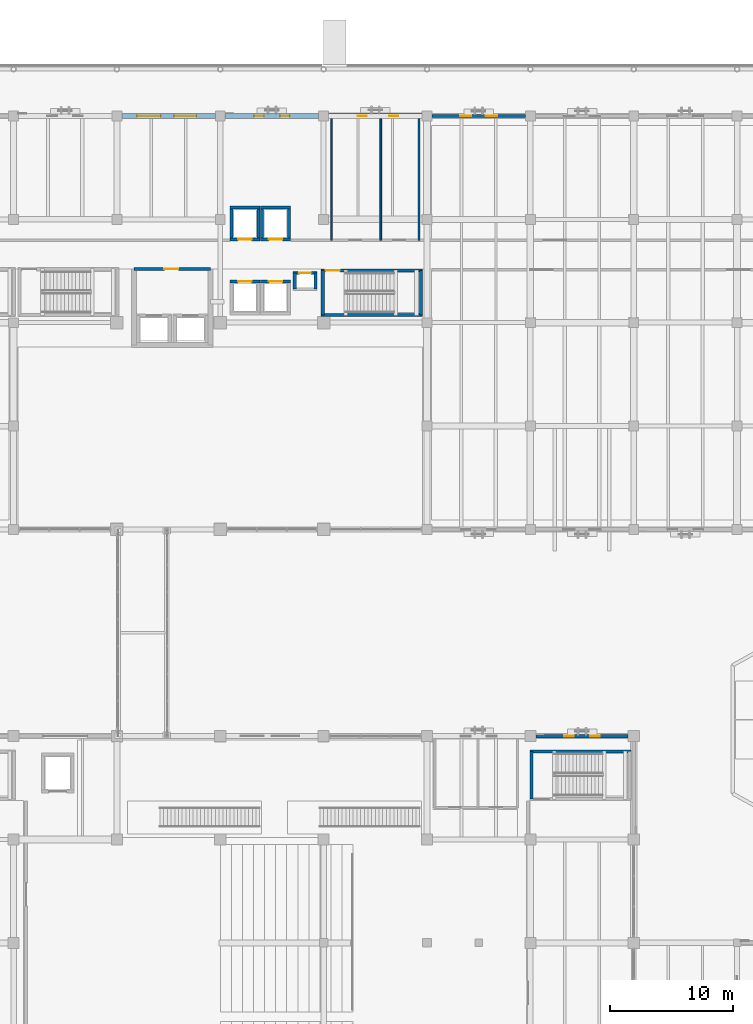
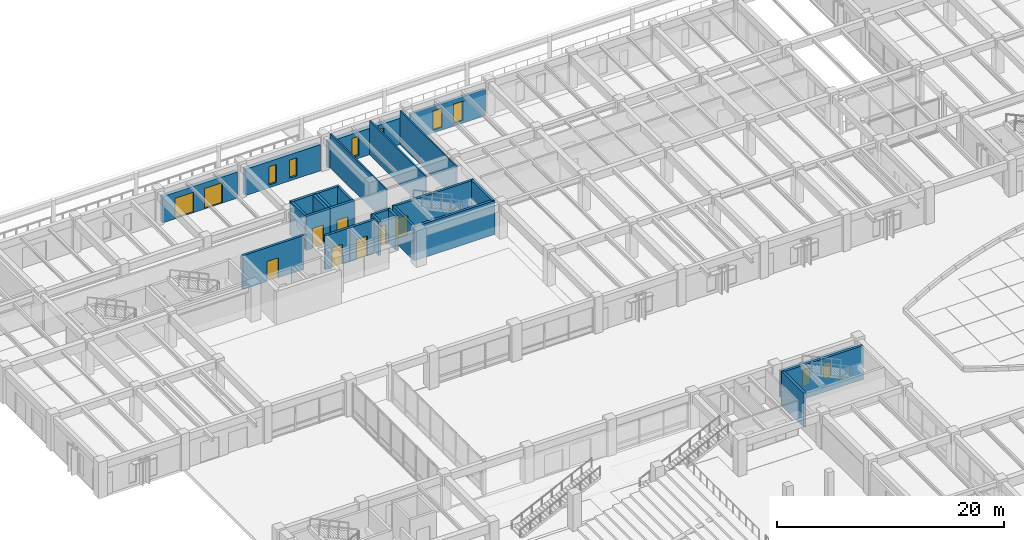
# One storey, part 91 of 135: 28 walls, 9 doors, 8 windows, 17 openings.
"""IFC4 building model written with IfcOpenShell, lengths in metres."""

import ifcopenshell
import ifcopenshell.guid

model = None  # the IFC model being written
_history = None  # IfcOwnerHistory: only IFC2X3 demands one
_inside = {}  # id of a spatial element -> (the spatial element, [elements in it])
_under = {}  # id of a project, library or spatial element -> (it, [spatial elements below it])
_declared = {}  # id of a project -> (the project, [libraries it declares])
_typed = {}  # id of a type object -> (the type object, [elements of that type])
_made_of = {}  # id of a material, layer set ... -> (it, [elements and type objects made of it])


def new_model(schema):
    """Start an empty IFC model of exactly this schema.

    Asked for "IFC4X3", IfcOpenShell would pick the latest addendum, in which some entities
    have other attributes; the version numbers below select the first issue.
    IFC2X3 requires an IfcOwnerHistory on every rooted entity: one is made here for all.
    """
    global model, _history
    if schema == "IFC4X3":
        model = ifcopenshell.file(schema_version=(4, 3, 0, 0))
    else:
        model = ifcopenshell.file(schema=schema)
    _inside.clear()
    _under.clear()
    _declared.clear()
    _typed.clear()
    _made_of.clear()
    _history = None
    if model.schema == "IFC2X3":
        org = make("IfcOrganization", Name="unknown")
        user = make(
            "IfcPersonAndOrganization",
            ThePerson=make("IfcPerson", FamilyName="unknown"),
            TheOrganization=org,
        )
        app = make(
            "IfcApplication",
            ApplicationDeveloper=org,
            Version="unknown",
            ApplicationFullName="unknown",
            ApplicationIdentifier="unknown",
        )
        _history = make(
            "IfcOwnerHistory",
            OwningUser=user,
            OwningApplication=app,
            ChangeAction="ADDED",
            CreationDate=0,
        )
    return model


def make(cls, **values):
    """One entity of the class cls with the attributes given. An attribute that is None is left unset."""
    return model.create_entity(
        cls, **{name: value for name, value in values.items() if value is not None}
    )


def rooted(cls, **values):
    """An entity with a GlobalId (a new one), such as an element, a storey or a relation."""
    return make(cls, GlobalId=ifcopenshell.guid.new(), OwnerHistory=_history, **values)


def si_unit(unit_type, name, prefix=None):
    """IfcSIUnit, for example si_unit("LENGTHUNIT", "METRE", prefix="MILLI")."""
    return make("IfcSIUnit", UnitType=unit_type, Prefix=prefix, Name=name)


def assignment(units):
    """IfcUnitAssignment: the units of a project."""
    return None if units is None else make("IfcUnitAssignment", Units=units)


def point(xyz):
    """IfcCartesianPoint."""
    return None if xyz is None else make("IfcCartesianPoint", Coordinates=xyz)


def direction(xyz):
    """IfcDirection."""
    return None if xyz is None else make("IfcDirection", DirectionRatios=xyz)


def frame(location, z_axis=None, x_axis=None):
    """IfcAxis2Placement3D, a coordinate frame: its origin and axes. An axis left out is left unset."""
    return make(
        "IfcAxis2Placement3D",
        Location=point(location),
        Axis=direction(z_axis),
        RefDirection=direction(x_axis),
    )


def frame_2d(location, x_axis=None):
    """IfcAxis2Placement2D, a coordinate frame in the plane: its origin and x axis."""
    return make(
        "IfcAxis2Placement2D", Location=point(location), RefDirection=direction(x_axis)
    )


def origin():
    """The frame at (0, 0, 0) with its axes left unset."""
    return frame((0.0, 0.0, 0.0))


def place(relative_to, where):
    """IfcLocalPlacement: puts the frame where relative to a parent placement (None: the world)."""
    return make(
        "IfcLocalPlacement", PlacementRelTo=relative_to, RelativePlacement=where
    )


def context(
    kind, dimensions, precision=None, world=None, true_north=None, identifier=None
):
    """IfcGeometricRepresentationContext, for example the 3D "Model" context."""
    return make(
        "IfcGeometricRepresentationContext",
        ContextIdentifier=identifier,
        ContextType=kind,
        CoordinateSpaceDimension=dimensions,
        Precision=precision,
        WorldCoordinateSystem=world,
        TrueNorth=true_north,
    )


def subcontext(parent, identifier, kind, view, scale=None):
    """IfcGeometricRepresentationSubContext, for example "Body" below "Model"."""
    return make(
        "IfcGeometricRepresentationSubContext",
        ContextIdentifier=identifier,
        ContextType=kind,
        ParentContext=parent,
        TargetScale=scale,
        TargetView=view,
    )


def project(units=None, contexts=None):
    """IfcProject with its units and contexts."""
    return rooted(
        "IfcProject",
        Name="project",
        RepresentationContexts=contexts,
        UnitsInContext=assignment(units),
    )


def spatial(cls, under=None, at=None, **own):
    """A site, building, storey or space (cls), placed at a placement, below another one or the project."""
    s = rooted(cls, ObjectPlacement=at, **own)
    if under is not None:
        _under.setdefault(under.id(), (under, []))[1].append(s)
    return s


def profile(cls, at=None, kind="AREA", **sizes):
    """A parametric profile (cls). Its sizes go by their IFC names, for example OverallWidth=200.0."""
    return make(cls, ProfileType=kind, Position=at, **sizes)


def rectangle(**sizes):
    """IfcRectangleProfileDef."""
    return profile("IfcRectangleProfileDef", **sizes)


def extrude(swept, where, along, depth):
    """IfcExtrudedAreaSolid: the profile swept, set in the frame where, extruded along a direction by depth."""
    return make(
        "IfcExtrudedAreaSolid",
        SweptArea=swept,
        Position=where,
        ExtrudedDirection=direction(along),
        Depth=depth,
    )


def shape(context_of_items, identifier, shape_type, items):
    """IfcShapeRepresentation: the items that make up one representation, for example the "Body"."""
    return make(
        "IfcShapeRepresentation",
        ContextOfItems=context_of_items,
        RepresentationIdentifier=identifier,
        RepresentationType=shape_type,
        Items=items,
    )


def material(Name=None, Category=None):
    """IfcMaterial."""
    return make("IfcMaterial", Name=Name, Category=Category)


def layer(
    of_material, thickness, ventilated=None, Name=None, Category=None, Priority=None
):
    """IfcMaterialLayer: one layer of a wall or slab, of a material (None: an air gap)."""
    return make(
        "IfcMaterialLayer",
        Material=of_material,
        LayerThickness=thickness,
        IsVentilated=ventilated,
        Name=Name,
        Category=Category,
        Priority=Priority,
    )


def layer_set(layers, Name=None):
    """IfcMaterialLayerSet."""
    return make("IfcMaterialLayerSet", MaterialLayers=layers, LayerSetName=Name)


def made_of(thing, what):
    """Note that an element or type object is made of a material, layer set ...; save() writes the relation."""
    if what is not None:
        _made_of.setdefault(what.id(), (what, []))[1].append(thing)
    return thing


def type_object(cls, material=None, **own):
    """A type object (cls), such as IfcWallType, which elements share."""
    return made_of(rooted(cls, **own), material)


def element(
    cls,
    number,
    at=None,
    inside=None,
    cuts=None,
    type_object=None,
    material=None,
    context=None,
    identifier="Body",
    shape_type=None,
    held_by="IfcProductDefinitionShape",
    body=None,
    shapes=None,
    **own,
):
    """One element of the class cls, such as IfcWall. Its Tag is "e" and its number.

    at: its placement. inside: the storey or other place that contains it. cuts: it is an
    opening in that element (IfcRelVoidsElement). A single representation is given by context,
    identifier, shape_type and body (its items); several are given by shapes. held_by: the class
    of the entity that holds the representations. save() writes the other relations.
    """
    e = rooted(cls, Tag="e%d" % number, ObjectPlacement=at, **own)
    if body is not None:
        shapes = [shape(context, identifier, shape_type, body)]
    if shapes is not None:
        e.Representation = make(held_by, Representations=shapes)
    if inside is not None:
        _inside.setdefault(inside.id(), (inside, []))[1].append(e)
    if cuts is not None:
        rooted(
            "IfcRelVoidsElement", RelatingBuildingElement=cuts, RelatedOpeningElement=e
        )
    if type_object is not None:
        _typed.setdefault(type_object.id(), (type_object, []))[1].append(e)
    return made_of(e, material)


def fill(opening, filler):
    """IfcRelFillsElement: the door or window that sits in an opening."""
    return rooted(
        "IfcRelFillsElement",
        RelatingOpeningElement=opening,
        RelatedBuildingElement=filler,
    )


def aggregate(whole, parts):
    """IfcRelAggregates: a whole, such as a stair, and the parts it consists of."""
    return rooted("IfcRelAggregates", RelatingObject=whole, RelatedObjects=parts)


def save(model, path):
    """Write the relations noted so far, then the file.

    IfcRelAggregates (storeys below a building ...), IfcRelContainedInSpatialStructure (elements
    in a storey), IfcRelDefinesByType, IfcRelAssociatesMaterial and IfcRelDeclares: one each for
    every whole, place, type object, material and project.
    """
    for whole, parts in _under.values():
        aggregate(whole, parts)
    for where, things in _inside.values():
        rooted(
            "IfcRelContainedInSpatialStructure",
            RelatedElements=things,
            RelatingStructure=where,
        )
    for kind, things in _typed.values():
        rooted("IfcRelDefinesByType", RelatedObjects=things, RelatingType=kind)
    for what, things in _made_of.values():
        rooted("IfcRelAssociatesMaterial", RelatedObjects=things, RelatingMaterial=what)
    for by, libraries in _declared.values():
        rooted("IfcRelDeclares", RelatingContext=by, RelatedDefinitions=libraries)
    model.write(path)


model = new_model("IFC4")

# Units and contexts
model_context = context("Model", 3, precision=1e-05, world=origin(), true_north=direction((0.0, 1.0)))
body_context = subcontext(model_context, "Body", "Model", "MODEL_VIEW")
ifc_project = project(units=[si_unit("LENGTHUNIT", "METRE"), si_unit("AREAUNIT", "SQUARE_METRE"), si_unit("VOLUMEUNIT", "CUBIC_METRE"), si_unit("PLANEANGLEUNIT", "RADIAN"), si_unit("MASSUNIT", "GRAM", prefix="KILO")], contexts=[model_context])

# Site, building, storey
site_placement = place(None, origin())
site = spatial("IfcSite", under=ifc_project, at=site_placement, CompositionType="ELEMENT")
building_placement = place(site_placement, origin())
building = spatial("IfcBuilding", under=site, at=building_placement, Name="Cumbredor Promenade Congress Hotel", CompositionType="ELEMENT")
storey_placement = place(building_placement, origin())
storey = spatial("IfcBuildingStorey", under=building, at=storey_placement, Name="L00", CompositionType="ELEMENT", Elevation=0.0)

# Wall, openings, windows
ifc_material_1 = material(Name="Concrete C40/50", Category="concrete")
ifc_layer_1 = layer(ifc_material_1, 0.260009765625, Name="Concrete C40/50", Category="concrete")
ifc_layer_set_1 = layer_set([ifc_layer_1], Name="Concrete C40/50")
wall_type_1 = type_object("IfcWallType", Name="WL-EXT-260", PredefinedType="SOLIDWALL", material=ifc_layer_set_1)
wall_1_placement = place(storey_placement, frame((59.2509765625, 67.199951171875, 0.0), z_axis=(0.0, 0.0, 1.0), x_axis=(1.0, 0.0, 0.0)))
wall_1 = element("IfcWall", 1, at=wall_1_placement, inside=storey, type_object=wall_type_1, Name="L00 Plenary Congress Hall North Envelope Wall 7", PredefinedType="SOLIDWALL", context=body_context, shape_type="SweptSolid", body=[
    extrude(rectangle(XDim=7.498046875, YDim=0.260009765625, at=frame_2d((3.7490234375, 0.0))), origin(), (0.0, 0.0, 1.0), 2.824951171875),
])
opening_1_placement = place(wall_1_placement, frame((2.319091796875, 0.0, 0.300048828125)))
opening_1 = element("IfcOpeningElement", 2, at=opening_1_placement, cuts=wall_1, Name="Opening WN-61", PredefinedType="OPENING", context=body_context, shape_type="SweptSolid", body=[
    extrude(rectangle(XDim=0.760009765625, YDim=1.75, at=frame_2d((0.3798828125, 0.875))), frame((0.0, 0.14013671875, 0.0), z_axis=(0.0, -1.0, 0.0), x_axis=(1.0, 0.0, 0.0)), (0.0, 0.0, 1.0), 0.280029296875),
])
opening_2_placement = place(wall_1_placement, frame((4.4189453125, 0.0, 0.300048828125)))
opening_2 = element("IfcOpeningElement", 3, at=opening_2_placement, cuts=wall_1, Name="Opening WN-61", PredefinedType="OPENING", context=body_context, shape_type="SweptSolid", body=[
    extrude(rectangle(XDim=0.760009765625, YDim=1.75, at=frame_2d((0.3798828125, 0.875))), frame((0.0, 0.14013671875, 0.0), z_axis=(0.0, -1.0, 0.0), x_axis=(1.0, 0.0, 0.0)), (0.0, 0.0, 1.0), 0.280029296875),
])
ifc_material_2 = material(Name="Thermally broken anodized aluminium and low-E glass", Category="aluminium")
window_type_1 = type_object("IfcWindowType", Name="Vertical Slot Window WN-61 760x1750", PartitioningType="SINGLE_PANEL", PredefinedType="WINDOW", material=ifc_material_2)
window_1_placement = place(opening_1_placement, origin())
window_1 = element("IfcWindow", 4, at=window_1_placement, inside=storey, type_object=window_type_1, Name="L00 Vertical Slot Window 0011", OverallHeight=1.75, OverallWidth=0.760009765625, PartitioningType="SINGLE_PANEL", PredefinedType="WINDOW", context=body_context, shape_type="SweptSolid", body=[
    extrude(rectangle(XDim=0.760009765625, YDim=1.75, at=frame_2d((0.3798828125, 0.875))), frame((0.0, 0.030029296875, 0.0), z_axis=(0.0, -1.0, 0.0), x_axis=(1.0, 0.0, 0.0)), (0.0, 0.0, 1.0), 0.06005859375),
])
fill(opening_1, window_1)
window_2_placement = place(opening_2_placement, origin())
window_2 = element("IfcWindow", 5, at=window_2_placement, inside=storey, type_object=window_type_1, Name="L00 Vertical Slot Window 0012", OverallHeight=1.75, OverallWidth=0.760009765625, PartitioningType="SINGLE_PANEL", PredefinedType="WINDOW", context=body_context, shape_type="SweptSolid", body=[
    extrude(rectangle(XDim=0.760009765625, YDim=1.75, at=frame_2d((0.3798828125, 0.875))), frame((0.0, 0.030029296875, 0.0), z_axis=(0.0, -1.0, 0.0), x_axis=(1.0, 0.0, 0.0)), (0.0, 0.0, 1.0), 0.06005859375),
])
fill(opening_2, window_2)

wall_2_placement = place(storey_placement, frame((50.801025390625, 117.60009765625, 0.0), z_axis=(0.0, 0.0, 1.0), x_axis=(1.0, 0.0, 0.0)))
wall_2 = element("IfcWall", 6, at=wall_2_placement, inside=storey, type_object=wall_type_1, Name="L00 Stepped Congress Hotel Wing North Envelope Wall 7", PredefinedType="SOLIDWALL", context=body_context, shape_type="SweptSolid", body=[
    extrude(rectangle(XDim=7.597900390625, YDim=0.260009765625, at=frame_2d((3.798828125, 0.0))), origin(), (0.0, 0.0, 1.0), 2.824951171875),
])
opening_3_placement = place(wall_2_placement, frame((2.2890625, 0.0, 0.300048828125)))
opening_3 = element("IfcOpeningElement", 7, at=opening_3_placement, cuts=wall_2, Name="Opening WN-56", PredefinedType="OPENING", context=body_context, shape_type="SweptSolid", body=[
    extrude(rectangle(XDim=0.919921875, YDim=2.050048828125, at=frame_2d((0.4599609375, 1.02490234375))), frame((0.0, 0.14013671875, 0.0), z_axis=(0.0, -1.0, 0.0), x_axis=(1.0, 0.0, 0.0)), (0.0, 0.0, 1.0), 0.280029296875),
])
opening_4_placement = place(wall_2_placement, frame((4.388916015625, 0.0, 0.300048828125)))
opening_4 = element("IfcOpeningElement", 8, at=opening_4_placement, cuts=wall_2, Name="Opening WN-56", PredefinedType="OPENING", context=body_context, shape_type="SweptSolid", body=[
    extrude(rectangle(XDim=0.919921875, YDim=2.050048828125, at=frame_2d((0.4599609375, 1.02490234375))), frame((0.0, 0.14013671875, 0.0), z_axis=(0.0, -1.0, 0.0), x_axis=(1.0, 0.0, 0.0)), (0.0, 0.0, 1.0), 0.280029296875),
])
window_type_2 = type_object("IfcWindowType", Name="Vertical Slot Window WN-56 920x2050", PartitioningType="SINGLE_PANEL", PredefinedType="WINDOW", material=ifc_material_2)
window_3_placement = place(opening_3_placement, origin())
window_3 = element("IfcWindow", 9, at=window_3_placement, inside=storey, type_object=window_type_2, Name="L00 Vertical Slot Window 0081", OverallHeight=2.050048828125, OverallWidth=0.919921875, PartitioningType="SINGLE_PANEL", PredefinedType="WINDOW", context=body_context, shape_type="SweptSolid", body=[
    extrude(rectangle(XDim=0.919921875, YDim=2.050048828125, at=frame_2d((0.4599609375, 1.02490234375))), frame((0.0, 0.030029296875, 0.0), z_axis=(0.0, -1.0, 0.0), x_axis=(1.0, 0.0, 0.0)), (0.0, 0.0, 1.0), 0.06005859375),
])
fill(opening_3, window_3)
window_4_placement = place(opening_4_placement, origin())
window_4 = element("IfcWindow", 10, at=window_4_placement, inside=storey, type_object=window_type_2, Name="L00 Vertical Slot Window 0082", OverallHeight=2.050048828125, OverallWidth=0.919921875, PartitioningType="SINGLE_PANEL", PredefinedType="WINDOW", context=body_context, shape_type="SweptSolid", body=[
    extrude(rectangle(XDim=0.919921875, YDim=2.050048828125, at=frame_2d((0.4599609375, 1.02490234375))), frame((0.0, 0.030029296875, 0.0), z_axis=(0.0, -1.0, 0.0), x_axis=(1.0, 0.0, 0.0)), (0.0, 0.0, 1.0), 0.06005859375),
])
fill(opening_4, window_4)

# Wall, openings, doors
ifc_layer_2 = layer(ifc_material_1, 0.3798828125, Name="Concrete C40/50", Category="concrete")
ifc_layer_set_2 = layer_set([ifc_layer_2], Name="Concrete C40/50")
wall_type_2 = type_object("IfcWallType", Name="WL-EXT-380", PredefinedType="SOLIDWALL", material=ifc_layer_set_2)
wall_3_placement = place(storey_placement, frame((25.60107421875, 117.60009765625, 0.0), z_axis=(0.0, 0.0, 1.0), x_axis=(1.0, 0.0, 0.0)))
wall_3 = element("IfcWall", 11, at=wall_3_placement, inside=storey, type_object=wall_type_2, Name="L00 Stepped Congress Hotel Wing North Envelope Wall 4", PredefinedType="SOLIDWALL", context=body_context, shape_type="SweptSolid", body=[
    extrude(rectangle(XDim=7.597900390625, YDim=0.3798828125, at=frame_2d((3.798828125, 0.0))), origin(), (0.0, 0.0, 1.0), 2.824951171875),
])
opening_5_placement = place(wall_3_placement, frame((1.2490234375, 0.0, 0.0)))
opening_5 = element("IfcOpeningElement", 12, at=opening_5_placement, cuts=wall_3, Name="Opening EX-02", PredefinedType="OPENING", context=body_context, shape_type="SweptSolid", body=[
    extrude(rectangle(XDim=1.89990234375, YDim=2.199951171875, at=frame_2d((0.949951171875, 1.10009765625))), frame((0.0, 0.199951171875, 0.0), z_axis=(0.0, -1.0, 0.0), x_axis=(1.0, 0.0, 0.0)), (0.0, 0.0, 1.0), 0.39990234375),
])
opening_6_placement = place(wall_3_placement, frame((4.248046875, 0.0, 0.0)))
opening_6 = element("IfcOpeningElement", 13, at=opening_6_placement, cuts=wall_3, Name="Opening EX-01", PredefinedType="OPENING", context=body_context, shape_type="SweptSolid", body=[
    extrude(rectangle(XDim=1.800048828125, YDim=2.199951171875, at=frame_2d((0.89990234375, 1.10009765625))), frame((0.0, 0.199951171875, 0.0), z_axis=(0.0, -1.0, 0.0), x_axis=(1.0, 0.0, 0.0)), (0.0, 0.0, 1.0), 0.39990234375),
])
ifc_material_3 = material(Name="Thermally broken anodized aluminium and laminated safety glass", Category="aluminium")
door_type_1 = type_object("IfcDoorType", Name="EXT-DR-EXIT-1800x2200", OperationType="DOUBLE_DOOR_SINGLE_SWING", PredefinedType="DOOR", material=ifc_material_3)
door_1_placement = place(opening_6_placement, origin())
door_1 = element("IfcDoor", 14, at=door_1_placement, inside=storey, type_object=door_type_1, Name="L00 Stepped Congress Hotel Wing North Final Exit Door 27.2", OperationType="DOUBLE_DOOR_SINGLE_SWING", OverallHeight=2.199951171875, OverallWidth=1.800048828125, PredefinedType="DOOR", context=body_context, shape_type="SweptSolid", body=[
    extrude(rectangle(XDim=1.800048828125, YDim=2.199951171875, at=frame_2d((0.89990234375, 1.10009765625))), frame((0.0, 0.02490234375, 0.0), z_axis=(0.0, -1.0, 0.0), x_axis=(1.0, 0.0, 0.0)), (0.0, 0.0, 1.0), 0.050048828125),
])
fill(opening_6, door_1)
door_type_2 = type_object("IfcDoorType", Name="EXT-DR-EXIT-1900x2200", OperationType="DOUBLE_DOOR_SINGLE_SWING", PredefinedType="DOOR", material=ifc_material_3)
door_2_placement = place(opening_5_placement, origin())
door_2 = element("IfcDoor", 15, at=door_2_placement, inside=storey, type_object=door_type_2, Name="L00 Stepped Congress Hotel Wing North Final Exit Door 27.1", OperationType="DOUBLE_DOOR_SINGLE_SWING", OverallHeight=2.199951171875, OverallWidth=1.89990234375, PredefinedType="DOOR", context=body_context, shape_type="SweptSolid", body=[
    extrude(rectangle(XDim=1.89990234375, YDim=2.199951171875, at=frame_2d((0.949951171875, 1.10009765625))), frame((0.0, 0.02490234375, 0.0), z_axis=(0.0, -1.0, 0.0), x_axis=(1.0, 0.0, 0.0)), (0.0, 0.0, 1.0), 0.050048828125),
])
fill(opening_5, door_2)

# Wall, openings, windows
ifc_layer_3 = layer(ifc_material_1, 0.425048828125, Name="Concrete C40/50", Category="concrete")
ifc_layer_set_3 = layer_set([ifc_layer_3], Name="Concrete C40/50")
wall_type_3 = type_object("IfcWallType", Name="WL-EXT-425", PredefinedType="SOLIDWALL", material=ifc_layer_set_3)
wall_4_placement = place(storey_placement, frame((34.0009765625, 117.60009765625, 0.0), z_axis=(0.0, 0.0, 1.0), x_axis=(1.0, 0.0, 0.0)))
wall_4 = element("IfcWall", 16, at=wall_4_placement, inside=storey, type_object=wall_type_3, Name="L00 Stepped Congress Hotel Wing North Envelope Wall 5", PredefinedType="SOLIDWALL", context=body_context, shape_type="SweptSolid", body=[
    extrude(rectangle(XDim=7.59814453125, YDim=0.425048828125, at=frame_2d((3.799072265625, 0.0))), origin(), (0.0, 0.0, 1.0), 2.824951171875),
])
opening_7_placement = place(wall_4_placement, frame((2.35888671875, 0.0, 0.300048828125)))
opening_7 = element("IfcOpeningElement", 17, at=opening_7_placement, cuts=wall_4, Name="Opening WN-50", PredefinedType="OPENING", context=body_context, shape_type="SweptSolid", body=[
    extrude(rectangle(XDim=0.780029296875, YDim=1.949951171875, at=frame_2d((0.39013671875, 0.97509765625))), frame((0.0, 0.22265625, 0.0), z_axis=(0.0, -1.0, 0.0), x_axis=(1.0, 0.0, 0.0)), (0.0, 0.0, 1.0), 0.445068359375),
])
opening_8_placement = place(wall_4_placement, frame((4.458984375, 0.0, 0.300048828125)))
opening_8 = element("IfcOpeningElement", 18, at=opening_8_placement, cuts=wall_4, Name="Opening WN-50", PredefinedType="OPENING", context=body_context, shape_type="SweptSolid", body=[
    extrude(rectangle(XDim=0.780029296875, YDim=1.949951171875, at=frame_2d((0.39013671875, 0.97509765625))), frame((0.0, 0.22265625, 0.0), z_axis=(0.0, -1.0, 0.0), x_axis=(1.0, 0.0, 0.0)), (0.0, 0.0, 1.0), 0.445068359375),
])
window_type_3 = type_object("IfcWindowType", Name="Vertical Slot Window WN-50 780x1950", PartitioningType="SINGLE_PANEL", PredefinedType="WINDOW", material=ifc_material_2)
window_5_placement = place(opening_7_placement, origin())
window_5 = element("IfcWindow", 19, at=window_5_placement, inside=storey, type_object=window_type_3, Name="L00 Vertical Slot Window 0077", OverallHeight=1.949951171875, OverallWidth=0.780029296875, PartitioningType="SINGLE_PANEL", PredefinedType="WINDOW", context=body_context, shape_type="SweptSolid", body=[
    extrude(rectangle(XDim=0.780029296875, YDim=1.949951171875, at=frame_2d((0.39013671875, 0.97509765625))), frame((0.0, 0.030029296875, 0.0), z_axis=(0.0, -1.0, 0.0), x_axis=(1.0, 0.0, 0.0)), (0.0, 0.0, 1.0), 0.06005859375),
])
fill(opening_7, window_5)
window_6_placement = place(opening_8_placement, origin())
window_6 = element("IfcWindow", 20, at=window_6_placement, inside=storey, type_object=window_type_3, Name="L00 Vertical Slot Window 0078", OverallHeight=1.949951171875, OverallWidth=0.780029296875, PartitioningType="SINGLE_PANEL", PredefinedType="WINDOW", context=body_context, shape_type="SweptSolid", body=[
    extrude(rectangle(XDim=0.780029296875, YDim=1.949951171875, at=frame_2d((0.39013671875, 0.97509765625))), frame((0.0, 0.030029296875, 0.0), z_axis=(0.0, -1.0, 0.0), x_axis=(1.0, 0.0, 0.0)), (0.0, 0.0, 1.0), 0.06005859375),
])
fill(opening_8, window_6)

ifc_layer_4 = layer(ifc_material_1, 0.449951171875, Name="Concrete C40/50", Category="concrete")
ifc_layer_set_4 = layer_set([ifc_layer_4], Name="Concrete C40/50")
wall_type_4 = type_object("IfcWallType", Name="WL-EXT-450", PredefinedType="SOLIDWALL", material=ifc_layer_set_4)
wall_5_placement = place(storey_placement, frame((42.40087890625, 117.60009765625, 0.0), z_axis=(0.0, 0.0, 1.0), x_axis=(1.0, 0.0, 0.0)))
wall_5 = element("IfcWall", 21, at=wall_5_placement, inside=storey, type_object=wall_type_4, Name="L00 Stepped Congress Hotel Wing North Envelope Wall 6", PredefinedType="SOLIDWALL", context=body_context, shape_type="SweptSolid", body=[
    extrude(rectangle(XDim=7.59814453125, YDim=0.449951171875, at=frame_2d((3.799072265625, 0.0))), origin(), (0.0, 0.0, 1.0), 2.824951171875),
])
opening_9_placement = place(wall_5_placement, frame((2.37890625, 0.0, 0.300048828125)))
opening_9 = element("IfcOpeningElement", 22, at=opening_9_placement, cuts=wall_5, Name="Opening WN-53", PredefinedType="OPENING", context=body_context, shape_type="SweptSolid", body=[
    extrude(rectangle(XDim=0.739990234375, YDim=2.050048828125, at=frame_2d((0.3701171875, 1.02490234375))), frame((0.0, 0.23486328125, 0.0), z_axis=(0.0, -1.0, 0.0), x_axis=(1.0, 0.0, 0.0)), (0.0, 0.0, 1.0), 0.469970703125),
])
opening_10_placement = place(wall_5_placement, frame((4.928955078125, 0.0, 0.300048828125)))
opening_10 = element("IfcOpeningElement", 23, at=opening_10_placement, cuts=wall_5, Name="Opening WN-53", PredefinedType="OPENING", context=body_context, shape_type="SweptSolid", body=[
    extrude(rectangle(XDim=0.739990234375, YDim=2.050048828125, at=frame_2d((0.3701171875, 1.02490234375))), frame((0.0, 0.23486328125, 0.0), z_axis=(0.0, -1.0, 0.0), x_axis=(1.0, 0.0, 0.0)), (0.0, 0.0, 1.0), 0.469970703125),
])
window_type_4 = type_object("IfcWindowType", Name="Vertical Slot Window WN-53 740x2050", PartitioningType="SINGLE_PANEL", PredefinedType="WINDOW", material=ifc_material_2)
window_7_placement = place(opening_9_placement, origin())
window_7 = element("IfcWindow", 24, at=window_7_placement, inside=storey, type_object=window_type_4, Name="L00 Vertical Slot Window 0079", OverallHeight=2.050048828125, OverallWidth=0.739990234375, PartitioningType="SINGLE_PANEL", PredefinedType="WINDOW", context=body_context, shape_type="SweptSolid", body=[
    extrude(rectangle(XDim=0.739990234375, YDim=2.050048828125, at=frame_2d((0.3701171875, 1.02490234375))), frame((0.0, 0.030029296875, 0.0), z_axis=(0.0, -1.0, 0.0), x_axis=(1.0, 0.0, 0.0)), (0.0, 0.0, 1.0), 0.06005859375),
])
fill(opening_9, window_7)
window_8_placement = place(opening_10_placement, origin())
window_8 = element("IfcWindow", 25, at=window_8_placement, inside=storey, type_object=window_type_4, Name="L00 Vertical Slot Window 0080", OverallHeight=2.050048828125, OverallWidth=0.739990234375, PartitioningType="SINGLE_PANEL", PredefinedType="WINDOW", context=body_context, shape_type="SweptSolid", body=[
    extrude(rectangle(XDim=0.739990234375, YDim=2.050048828125, at=frame_2d((0.3701171875, 1.02490234375))), frame((0.0, 0.030029296875, 0.0), z_axis=(0.0, -1.0, 0.0), x_axis=(1.0, 0.0, 0.0)), (0.0, 0.0, 1.0), 0.06005859375),
])
fill(opening_10, window_8)

# Wall, opening, door
ifc_layer_5 = layer(ifc_material_1, 0.239990234375, Name="Concrete C40/50", Category="concrete")
ifc_layer_set_5 = layer_set([ifc_layer_5], Name="Concrete C40/50")
wall_type_5 = type_object("IfcWallType", Name="WL-FFL-240", PredefinedType="SOLIDWALL", material=ifc_layer_set_5)
wall_6_placement = place(storey_placement, frame((26.60009765625, 105.14990234375, 0.0), z_axis=(0.0, 0.0, 1.0), x_axis=(1.0, 0.0, 0.0)))
wall_6 = element("IfcWall", 26, at=wall_6_placement, inside=storey, type_object=wall_type_5, Name="L00 Interior Partition W-FFL-L00-N", PredefinedType="SOLIDWALL", context=body_context, shape_type="SweptSolid", body=[
    extrude(rectangle(XDim=6.199951171875, YDim=0.239990234375, at=frame_2d((3.10009765625, 0.0))), origin(), (0.0, 0.0, 1.0), 3.639892578125),
])
opening_11_placement = place(wall_6_placement, frame((2.449951171875, 0.0, 0.0)))
opening_11 = element("IfcOpeningElement", 27, at=opening_11_placement, cuts=wall_6, Name="Opening FD-05", PredefinedType="OPENING", context=body_context, shape_type="SweptSolid", body=[
    extrude(rectangle(XDim=1.14990234375, YDim=2.14990234375, at=frame_2d((0.574951171875, 1.074951171875))), frame((0.0, 0.1298828125, 0.0), z_axis=(0.0, -1.0, 0.0), x_axis=(1.0, 0.0, 0.0)), (0.0, 0.0, 1.0), 0.260009765625),
])
ifc_material_4 = material(Name="Painted galvanized steel fire door", Category="steel")
door_type_3 = type_object("IfcDoorType", Name="DR-SGL-FD60-1150", OperationType="NOTDEFINED", PredefinedType="DOOR", material=ifc_material_4)
door_3_placement = place(opening_11_placement, origin())
door_3 = element("IfcDoor", 28, at=door_3_placement, inside=storey, type_object=door_type_3, Name="L00 Interior Door W-FFL-L00-N-01", OperationType="SINGLE_SWING_LEFT", OverallHeight=2.14990234375, OverallWidth=1.14990234375, PredefinedType="DOOR", context=body_context, shape_type="SweptSolid", body=[
    extrude(rectangle(XDim=1.14990234375, YDim=2.14990234375, at=frame_2d((0.574951171875, 1.074951171875))), frame((0.0, 0.02490234375, 0.0), z_axis=(0.0, -1.0, 0.0), x_axis=(1.0, 0.0, 0.0)), (0.0, 0.0, 1.0), 0.050048828125),
])
fill(opening_11, door_3)

# Walls
ifc_material_5 = material(Name="Acoustic gypsum partition on steel studs", Category="steel")
ifc_layer_6 = layer(ifc_material_5, 0.139892578125, Name="Acoustic gypsum partition on steel studs", Category="steel")
ifc_layer_set_6 = layer_set([ifc_layer_6], Name="Acoustic gypsum partition on steel studs")
wall_type_6 = type_object("IfcWallType", Name="WL-PART-140", PredefinedType="PARTITIONING", material=ifc_layer_set_6)
for number, where, z_axis, x_axis, name in (
    (29, (42.64990234375, 107.5, 0.0), (0.0, 0.0, 1.0), (0.0, 1.0, 0.0), "L00 Interior Partition W-L00-V5-WC-W"),
    (30, (46.64990234375, 107.5, 0.0), (0.0, 0.0, 1.0), (0.0, 1.0, 0.0), "L00 Interior Partition W-L00-V5-WC-M"),
    (31, (49.75, 107.5, 0.0), (0.0, 0.0, 1.0), (0.0, 1.0, 0.0), "L00 Interior Partition W-L00-V5-WC-E"),
):
    element("IfcWall", number, at=place(storey_placement, frame(where, z_axis=z_axis, x_axis=x_axis)), inside=storey, type_object=wall_type_6, Name=name, PredefinedType="PARTITIONING", context=body_context, shape_type="SweptSolid", body=[
        extrude(rectangle(XDim=9.875, YDim=0.139892578125, at=frame_2d((4.9375, 0.0))), origin(), (0.0, 0.0, 1.0), 3.639892578125),
    ])
ifc_layer_7 = layer(ifc_material_1, 0.2548828125, Name="Concrete C40/50", Category="concrete")
ifc_layer_set_7 = layer_set([ifc_layer_7], Name="Concrete C40/50")
wall_type_7 = type_object("IfcWallType", Name="WL-SHAFT-250", PredefinedType="SOLIDWALL", material=ifc_layer_set_7)
wall_7_placement = place(storey_placement, frame((41.802490234375, 101.419921875, 0.0), z_axis=(0.0, 0.0, 1.0), x_axis=(1.0, 0.0, 0.0)))
element("IfcWall", 32, at=wall_7_placement, inside=storey, type_object=wall_type_7, Name="STAIR-ST-03-L00 Shaft Wall South", PredefinedType="SOLIDWALL", context=body_context, shape_type="SweptSolid", body=[
    extrude(rectangle(XDim=8.22509765625, YDim=0.2548828125, at=frame_2d((4.112548828125, 0.0))), origin(), (0.0, 0.0, 1.0), 3.639892578125),
])

# Wall, opening, door
wall_8_placement = place(storey_placement, frame((41.802490234375, 105.050048828125, 0.0), z_axis=(0.0, 0.0, 1.0), x_axis=(1.0, 0.0, 0.0)))
wall_8 = element("IfcWall", 33, at=wall_8_placement, inside=storey, type_object=wall_type_7, Name="STAIR-ST-03-L00 Shaft Wall North", PredefinedType="SOLIDWALL", context=body_context, shape_type="SweptSolid", body=[
    extrude(rectangle(XDim=8.22509765625, YDim=0.2548828125, at=frame_2d((4.112548828125, 0.0))), origin(), (0.0, 0.0, 1.0), 3.639892578125),
])
opening_12_placement = place(wall_8_placement, frame((0.35009765625, 0.0, 0.0)))
opening_12 = element("IfcOpeningElement", 34, at=opening_12_placement, cuts=wall_8, Name="Opening SD-01", PredefinedType="OPENING", context=body_context, shape_type="SweptSolid", body=[
    extrude(rectangle(XDim=1.159912109375, YDim=2.14990234375, at=frame_2d((0.580078125, 1.074951171875))), frame((0.0, 0.137451171875, 0.0), z_axis=(0.0, -1.0, 0.0), x_axis=(1.0, 0.0, 0.0)), (0.0, 0.0, 1.0), 0.27490234375),
])
door_type_4 = type_object("IfcDoorType", Name="DR-STAIR-FD90-1150", OperationType="NOTDEFINED", PredefinedType="DOOR", material=ifc_material_4)
door_4_placement = place(opening_12_placement, origin())
door_4 = element("IfcDoor", 35, at=door_4_placement, inside=storey, type_object=door_type_4, Name="L00 Protected Exit Stair ST-03 Door", OperationType="SINGLE_SWING_RIGHT", OverallHeight=2.14990234375, OverallWidth=1.159912109375, PredefinedType="DOOR", context=body_context, shape_type="SweptSolid", body=[
    extrude(rectangle(XDim=1.159912109375, YDim=2.14990234375, at=frame_2d((0.580078125, 1.074951171875))), frame((0.0, 0.02490234375, 0.0), z_axis=(0.0, -1.0, 0.0), x_axis=(1.0, 0.0, 0.0)), (0.0, 0.0, 1.0), 0.050048828125),
])
fill(opening_12, door_4)

# Walls
for number, where, z_axis, x_axis, name in (
    (36, (41.929931640625, 101.419921875, 0.0), (0.0, 0.0, 1.0), (0.0, 1.0, 0.0), "STAIR-ST-03-L00 Shaft Wall West"),
    (37, (49.89990234375, 101.419921875, 0.0), (0.0, 0.0, 1.0), (0.0, 1.0, 0.0), "STAIR-ST-03-L00 Shaft Wall East"),
):
    element("IfcWall", number, at=place(storey_placement, frame(where, z_axis=z_axis, x_axis=x_axis)), inside=storey, type_object=wall_type_7, Name=name, PredefinedType="SOLIDWALL", context=body_context, shape_type="SweptSolid", body=[
        extrude(rectangle(XDim=3.630126953125, YDim=0.2548828125, at=frame_2d((1.81494140625, 0.0))), origin(), (0.0, 0.0, 1.0), 3.639892578125),
    ])
wall_9_placement = place(storey_placement, frame((58.75244140625, 65.949951171875, 0.0), z_axis=(0.0, 0.0, 1.0), x_axis=(1.0, 0.0, 0.0)))
element("IfcWall", 38, at=wall_9_placement, inside=storey, type_object=wall_type_7, Name="STAIR-ST-07-L00 Shaft Wall North", PredefinedType="SOLIDWALL", context=body_context, shape_type="SweptSolid", body=[
    extrude(rectangle(XDim=8.22509765625, YDim=0.2548828125, at=frame_2d((4.112548828125, 0.0))), origin(), (0.0, 0.0, 1.0), 3.639892578125),
])
wall_10_placement = place(storey_placement, frame((58.8798828125, 62.10009765625, 0.0), z_axis=(0.0, 0.0, 1.0), x_axis=(0.0, 1.0, 0.0)))
element("IfcWall", 39, at=wall_10_placement, inside=storey, type_object=wall_type_7, Name="STAIR-ST-07-L00 Shaft Wall West", PredefinedType="SOLIDWALL", context=body_context, shape_type="SweptSolid", body=[
    extrude(rectangle(XDim=3.849853515625, YDim=0.2548828125, at=frame_2d((1.9248046875, 0.0))), origin(), (0.0, 0.0, 1.0), 3.639892578125),
])

# Wall, opening, door
wall_11_placement = place(storey_placement, frame((34.37255859375, 107.550048828125, 0.0), z_axis=(0.0, 0.0, 1.0), x_axis=(1.0, 0.0, 0.0)))
wall_11 = element("IfcWall", 40, at=wall_11_placement, inside=storey, type_object=wall_type_7, Name="SHAFT-PL-01-L00 Shaft Wall South", PredefinedType="SOLIDWALL", context=body_context, shape_type="SweptSolid", body=[
    extrude(rectangle(XDim=2.454833984375, YDim=0.2548828125, at=frame_2d((1.2275390625, 0.0))), origin(), (0.0, 0.0, 1.0), 3.639892578125),
])
opening_13_placement = place(wall_11_placement, frame((0.677490234375, 0.0, 0.0)))
opening_13 = element("IfcOpeningElement", 41, at=opening_13_placement, cuts=wall_11, Name="Opening LD-01", PredefinedType="OPENING", context=body_context, shape_type="SweptSolid", body=[
    extrude(rectangle(XDim=1.10009765625, YDim=2.14990234375, at=frame_2d((0.550048828125, 1.074951171875))), frame((0.0, 0.137451171875, 0.0), z_axis=(0.0, -1.0, 0.0), x_axis=(1.0, 0.0, 0.0)), (0.0, 0.0, 1.0), 0.27490234375),
])
ifc_material_6 = material(Name="Brushed stainless steel", Category="steel")
door_type_5 = type_object("IfcDoorType", Name="Lift Landing Sliding Door LD-01 1100x2150", OperationType="DOUBLE_DOOR_SLIDING", PredefinedType="DOOR", material=ifc_material_6)
door_5_placement = place(opening_13_placement, origin())
door_5 = element("IfcDoor", 42, at=door_5_placement, inside=storey, type_object=door_type_5, Name="L00 Hotel Passenger Lift PL-01 Sliding Landing Door", OperationType="DOUBLE_DOOR_SLIDING", OverallHeight=2.14990234375, OverallWidth=1.10009765625, PredefinedType="DOOR", context=body_context, shape_type="SweptSolid", body=[
    extrude(rectangle(XDim=1.10009765625, YDim=2.14990234375, at=frame_2d((0.550048828125, 1.074951171875))), frame((0.0, 0.02490234375, 0.0), z_axis=(0.0, -1.0, 0.0), x_axis=(1.0, 0.0, 0.0)), (0.0, 0.0, 1.0), 0.050048828125),
])
fill(opening_13, door_5)

# Walls
wall_12_placement = place(storey_placement, frame((34.37255859375, 110.14990234375, 0.0), z_axis=(0.0, 0.0, 1.0), x_axis=(1.0, 0.0, 0.0)))
element("IfcWall", 43, at=wall_12_placement, inside=storey, type_object=wall_type_7, Name="SHAFT-PL-01-L00 Shaft Wall North", PredefinedType="SOLIDWALL", context=body_context, shape_type="SweptSolid", body=[
    extrude(rectangle(XDim=2.454833984375, YDim=0.2548828125, at=frame_2d((1.2275390625, 0.0))), origin(), (0.0, 0.0, 1.0), 3.639892578125),
])
for number, where, z_axis, x_axis, name in (
    (44, (34.5, 107.550048828125, 0.0), (0.0, 0.0, 1.0), (0.0, 1.0, 0.0), "SHAFT-PL-01-L00 Shaft Wall West"),
    (45, (36.699951171875, 107.550048828125, 0.0), (0.0, 0.0, 1.0), (0.0, 1.0, 0.0), "SHAFT-PL-01-L00 Shaft Wall East"),
):
    element("IfcWall", number, at=place(storey_placement, frame(where, z_axis=z_axis, x_axis=x_axis)), inside=storey, type_object=wall_type_7, Name=name, PredefinedType="SOLIDWALL", context=body_context, shape_type="SweptSolid", body=[
        extrude(rectangle(XDim=2.599853515625, YDim=0.2548828125, at=frame_2d((1.2998046875, 0.0))), origin(), (0.0, 0.0, 1.0), 3.639892578125),
    ])

# Wall, opening, door
wall_13_placement = place(storey_placement, frame((36.87255859375, 107.550048828125, 0.0), z_axis=(0.0, 0.0, 1.0), x_axis=(1.0, 0.0, 0.0)))
wall_13 = element("IfcWall", 46, at=wall_13_placement, inside=storey, type_object=wall_type_7, Name="SHAFT-PL-02-L00 Shaft Wall South", PredefinedType="SOLIDWALL", context=body_context, shape_type="SweptSolid", body=[
    extrude(rectangle(XDim=2.454833984375, YDim=0.2548828125, at=frame_2d((1.2275390625, 0.0))), origin(), (0.0, 0.0, 1.0), 3.639892578125),
])
opening_14_placement = place(wall_13_placement, frame((0.677490234375, 0.0, 0.0)))
opening_14 = element("IfcOpeningElement", 47, at=opening_14_placement, cuts=wall_13, Name="Opening LD-01", PredefinedType="OPENING", context=body_context, shape_type="SweptSolid", body=[
    extrude(rectangle(XDim=1.10009765625, YDim=2.14990234375, at=frame_2d((0.550048828125, 1.074951171875))), frame((0.0, 0.137451171875, 0.0), z_axis=(0.0, -1.0, 0.0), x_axis=(1.0, 0.0, 0.0)), (0.0, 0.0, 1.0), 0.27490234375),
])
door_6_placement = place(opening_14_placement, origin())
door_6 = element("IfcDoor", 48, at=door_6_placement, inside=storey, type_object=door_type_5, Name="L00 Hotel Passenger Lift PL-02 Sliding Landing Door", OperationType="DOUBLE_DOOR_SLIDING", OverallHeight=2.14990234375, OverallWidth=1.10009765625, PredefinedType="DOOR", context=body_context, shape_type="SweptSolid", body=[
    extrude(rectangle(XDim=1.10009765625, YDim=2.14990234375, at=frame_2d((0.550048828125, 1.074951171875))), frame((0.0, 0.02490234375, 0.0), z_axis=(0.0, -1.0, 0.0), x_axis=(1.0, 0.0, 0.0)), (0.0, 0.0, 1.0), 0.050048828125),
])
fill(opening_14, door_6)

# Walls
wall_14_placement = place(storey_placement, frame((36.87255859375, 110.14990234375, 0.0), z_axis=(0.0, 0.0, 1.0), x_axis=(1.0, 0.0, 0.0)))
element("IfcWall", 49, at=wall_14_placement, inside=storey, type_object=wall_type_7, Name="SHAFT-PL-02-L00 Shaft Wall North", PredefinedType="SOLIDWALL", context=body_context, shape_type="SweptSolid", body=[
    extrude(rectangle(XDim=2.454833984375, YDim=0.2548828125, at=frame_2d((1.2275390625, 0.0))), origin(), (0.0, 0.0, 1.0), 3.639892578125),
])
for number, where, z_axis, x_axis, name in (
    (50, (37.0, 107.550048828125, 0.0), (0.0, 0.0, 1.0), (0.0, 1.0, 0.0), "SHAFT-PL-02-L00 Shaft Wall West"),
    (51, (39.199951171875, 107.550048828125, 0.0), (0.0, 0.0, 1.0), (0.0, 1.0, 0.0), "SHAFT-PL-02-L00 Shaft Wall East"),
):
    element("IfcWall", number, at=place(storey_placement, frame(where, z_axis=z_axis, x_axis=x_axis)), inside=storey, type_object=wall_type_7, Name=name, PredefinedType="SOLIDWALL", context=body_context, shape_type="SweptSolid", body=[
        extrude(rectangle(XDim=2.599853515625, YDim=0.2548828125, at=frame_2d((1.2998046875, 0.0))), origin(), (0.0, 0.0, 1.0), 3.639892578125),
    ])

# Wall, opening, door
wall_15_placement = place(storey_placement, frame((34.37255859375, 104.14990234375, 0.0), z_axis=(0.0, 0.0, 1.0), x_axis=(1.0, 0.0, 0.0)))
wall_15 = element("IfcWall", 52, at=wall_15_placement, inside=storey, type_object=wall_type_7, Name="SHAFT-PL-03-L00 Shaft Wall North", PredefinedType="SOLIDWALL", context=body_context, shape_type="SweptSolid", body=[
    extrude(rectangle(XDim=2.454833984375, YDim=0.2548828125, at=frame_2d((1.2275390625, 0.0))), origin(), (0.0, 0.0, 1.0), 3.639892578125),
])
opening_15_placement = place(wall_15_placement, frame((0.677490234375, 0.0, 0.0)))
opening_15 = element("IfcOpeningElement", 53, at=opening_15_placement, cuts=wall_15, Name="Opening LD-01", PredefinedType="OPENING", context=body_context, shape_type="SweptSolid", body=[
    extrude(rectangle(XDim=1.10009765625, YDim=2.14990234375, at=frame_2d((0.550048828125, 1.074951171875))), frame((0.0, 0.137451171875, 0.0), z_axis=(0.0, -1.0, 0.0), x_axis=(1.0, 0.0, 0.0)), (0.0, 0.0, 1.0), 0.27490234375),
])
door_7_placement = place(opening_15_placement, origin())
door_7 = element("IfcDoor", 54, at=door_7_placement, inside=storey, type_object=door_type_5, Name="L00 Hotel Passenger Lift PL-03 Sliding Landing Door", OperationType="DOUBLE_DOOR_SLIDING", OverallHeight=2.14990234375, OverallWidth=1.10009765625, PredefinedType="DOOR", context=body_context, shape_type="SweptSolid", body=[
    extrude(rectangle(XDim=1.10009765625, YDim=2.14990234375, at=frame_2d((0.550048828125, 1.074951171875))), frame((0.0, 0.02490234375, 0.0), z_axis=(0.0, -1.0, 0.0), x_axis=(1.0, 0.0, 0.0)), (0.0, 0.0, 1.0), 0.050048828125),
])
fill(opening_15, door_7)

wall_16_placement = place(storey_placement, frame((36.87255859375, 104.14990234375, 0.0), z_axis=(0.0, 0.0, 1.0), x_axis=(1.0, 0.0, 0.0)))
wall_16 = element("IfcWall", 55, at=wall_16_placement, inside=storey, type_object=wall_type_7, Name="SHAFT-PL-04-L00 Shaft Wall North", PredefinedType="SOLIDWALL", context=body_context, shape_type="SweptSolid", body=[
    extrude(rectangle(XDim=2.454833984375, YDim=0.2548828125, at=frame_2d((1.2275390625, 0.0))), origin(), (0.0, 0.0, 1.0), 3.639892578125),
])
opening_16_placement = place(wall_16_placement, frame((0.677490234375, 0.0, 0.0)))
opening_16 = element("IfcOpeningElement", 56, at=opening_16_placement, cuts=wall_16, Name="Opening LD-01", PredefinedType="OPENING", context=body_context, shape_type="SweptSolid", body=[
    extrude(rectangle(XDim=1.10009765625, YDim=2.14990234375, at=frame_2d((0.550048828125, 1.074951171875))), frame((0.0, 0.137451171875, 0.0), z_axis=(0.0, -1.0, 0.0), x_axis=(1.0, 0.0, 0.0)), (0.0, 0.0, 1.0), 0.27490234375),
])
door_8_placement = place(opening_16_placement, origin())
door_8 = element("IfcDoor", 57, at=door_8_placement, inside=storey, type_object=door_type_5, Name="L00 Hotel Passenger Lift PL-04 Sliding Landing Door", OperationType="DOUBLE_DOOR_SLIDING", OverallHeight=2.14990234375, OverallWidth=1.10009765625, PredefinedType="DOOR", context=body_context, shape_type="SweptSolid", body=[
    extrude(rectangle(XDim=1.10009765625, YDim=2.14990234375, at=frame_2d((0.550048828125, 1.074951171875))), frame((0.0, 0.02490234375, 0.0), z_axis=(0.0, -1.0, 0.0), x_axis=(1.0, 0.0, 0.0)), (0.0, 0.0, 1.0), 0.050048828125),
])
fill(opening_16, door_8)

wall_17_placement = place(storey_placement, frame((39.5224609375, 104.85009765625, 0.0), z_axis=(0.0, 0.0, 1.0), x_axis=(1.0, 0.0, 0.0)))
wall_17 = element("IfcWall", 58, at=wall_17_placement, inside=storey, type_object=wall_type_7, Name="RISER-MEP-R1-L00 Shaft Wall North", PredefinedType="SOLIDWALL", context=body_context, shape_type="SweptSolid", body=[
    extrude(rectangle(XDim=1.955078125, YDim=0.2548828125, at=frame_2d((0.9775390625, 0.0))), origin(), (0.0, 0.0, 1.0), 3.639892578125),
])
opening_17_placement = place(wall_17_placement, frame((0.507568359375, 0.0, 0.0)))
opening_17 = element("IfcOpeningElement", 59, at=opening_17_placement, cuts=wall_17, Name="Opening FD-03", PredefinedType="OPENING", context=body_context, shape_type="SweptSolid", body=[
    extrude(rectangle(XDim=0.93994140625, YDim=2.10009765625, at=frame_2d((0.469970703125, 1.050048828125))), frame((0.0, 0.137451171875, 0.0), z_axis=(0.0, -1.0, 0.0), x_axis=(1.0, 0.0, 0.0)), (0.0, 0.0, 1.0), 0.27490234375),
])
door_type_6 = type_object("IfcDoorType", Name="DR-SGL-FD60-950", OperationType="NOTDEFINED", PredefinedType="DOOR", material=ifc_material_4)
door_9_placement = place(opening_17_placement, origin())
door_9 = element("IfcDoor", 60, at=door_9_placement, inside=storey, type_object=door_type_6, Name="L00 Hotel MEP Riser Shaft R1 Access Door", OperationType="SINGLE_SWING_LEFT", OverallHeight=2.10009765625, OverallWidth=0.93994140625, PredefinedType="DOOR", context=body_context, shape_type="SweptSolid", body=[
    extrude(rectangle(XDim=0.93994140625, YDim=2.10009765625, at=frame_2d((0.469970703125, 1.050048828125))), frame((0.0, 0.02490234375, 0.0), z_axis=(0.0, -1.0, 0.0), x_axis=(1.0, 0.0, 0.0)), (0.0, 0.0, 1.0), 0.050048828125),
])
fill(opening_17, door_9)

# Walls
for number, where, z_axis, x_axis, name in (
    (61, (39.64990234375, 103.550048828125, 0.0), (0.0, 0.0, 1.0), (0.0, 1.0, 0.0), "RISER-MEP-R1-L00 Shaft Wall West"),
    (62, (41.35009765625, 103.550048828125, 0.0), (0.0, 0.0, 1.0), (0.0, 1.0, 0.0), "RISER-MEP-R1-L00 Shaft Wall East"),
):
    element("IfcWall", number, at=place(storey_placement, frame(where, z_axis=z_axis, x_axis=x_axis)), inside=storey, type_object=wall_type_7, Name=name, PredefinedType="SOLIDWALL", context=body_context, shape_type="SweptSolid", body=[
        extrude(rectangle(XDim=1.300048828125, YDim=0.2548828125, at=frame_2d((0.64990234375, 0.0))), origin(), (0.0, 0.0, 1.0), 3.639892578125),
    ])

save(model, "model.ifc")
